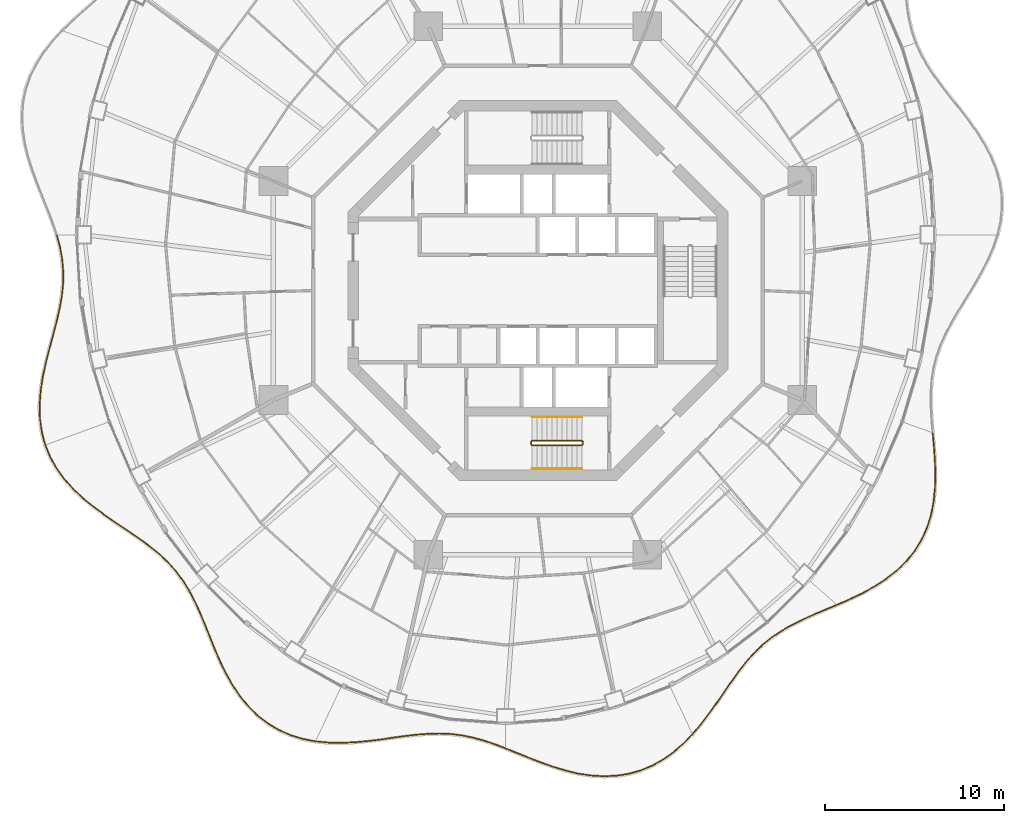
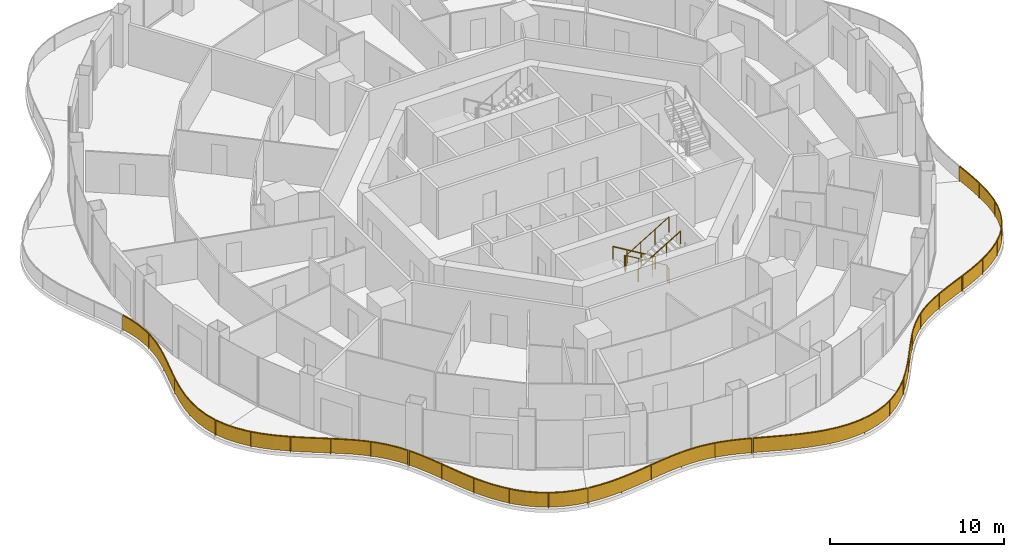
# One storey, part 16 of 18: 10 railings.
"""IFC4 building model written with IfcOpenShell, lengths in metres."""

from ifc_helpers import new_model, si_unit, direction, frame, origin, origin_2d, place, context, subcontext, project, spatial, polyline, rectangle, circle, outline, extrude, material, type_object, element, save


model = new_model("IFC4")

# Units and contexts
model_context = context("Model", 3, precision=1e-05, world=origin(), true_north=direction((0.0, 1.0)))
body_context = subcontext(model_context, "Body", "Model", "MODEL_VIEW")
ifc_project = project(units=[si_unit("LENGTHUNIT", "METRE"), si_unit("AREAUNIT", "SQUARE_METRE"), si_unit("VOLUMEUNIT", "CUBIC_METRE"), si_unit("PLANEANGLEUNIT", "RADIAN"), si_unit("MASSUNIT", "GRAM", prefix="KILO")], contexts=[model_context])

# Site, building, storey
site_placement = place(None, origin())
site = spatial("IfcSite", under=ifc_project, at=site_placement, CompositionType="ELEMENT")
building_placement = place(site_placement, origin())
building = spatial("IfcBuilding", under=site, at=building_placement, Name="Nagisa Residences", CompositionType="ELEMENT")
storey_placement = place(building_placement, frame((0.0, 0.0, 238.10009765625)))
storey = spatial("IfcBuildingStorey", under=building, at=storey_placement, Name="L60", CompositionType="ELEMENT", Elevation=238.10009765625)

# Railings
ifc_material_1 = material(Name="Stainless steel 316", Category="steel")
railing_type_1 = type_object("IfcRailingType", Name="BALCONY GUARD 1100", PredefinedType="BALUSTRADE", material=ifc_material_1)
railing_1_placement = place(storey_placement, frame((-26.891845703125, 3.0830078125, 0.0)))
element("IfcRailing", 1, at=railing_1_placement, inside=storey, type_object=railing_type_1, Name="guard:L60:bal08-0", PredefinedType="BALUSTRADE", context=body_context, shape_type="SweptSolid", body=[
    extrude(outline(polyline([(0.19775390625, -0.642333984375), (0.024169921875, 0.00634765625), (-0.024169921875, -0.00634765625), (0.14892578125, -0.653076171875), (0.2724609375, -1.335693359375), (0.33056640625, -2.01806640625), (0.32275390625, -2.70556640625), (0.252197265625, -3.4033203125), (0.1259765625, -4.100830078125), (-0.041748046875, -4.8291015625), (-0.236572265625, -5.574462890625), (-0.44140625, -6.336669921875), (-0.637451171875, -7.113037109375), (-0.808349609375, -7.885986328125), (-0.9296875, -8.6767578125), (-0.98828125, -9.465087890625), (-0.970458984375, -10.2431640625), (-0.86669921875, -11.0029296875), (-0.68310546875, -11.691162109375), (-0.634765625, -11.678466796875), (-0.8173828125, -10.9931640625), (-0.920654296875, -10.2392578125), (-0.93798828125, -9.466552734375), (-0.8798828125, -8.6826171875), (-0.759033203125, -7.895263671875), (-0.588623046875, -7.124755859375), (-0.39306640625, -6.349365234375), (-0.188232421875, -5.587158203125), (0.007080078125, -4.8408203125), (0.1748046875, -4.111083984375), (0.302001953125, -3.41015625), (0.37255859375, -2.70849609375), (0.380859375, -2.01611328125), (0.322265625, -1.328857421875), (0.19775390625, -0.642333984375)])), frame((0.0, 0.0, 1.050048828125)), (0.0, 0.0, 1.0), 0.050048828125),
    extrude(outline(polyline([(0.18017578125, -0.646240234375), (0.0068359375, 0.001708984375), (-0.0068359375, -0.001708984375), (0.16650390625, -0.649169921875), (0.29052734375, -1.333251953125), (0.3486328125, -2.017333984375), (0.340576171875, -2.70654296875), (0.270263671875, -3.40576171875), (0.1435546875, -4.1044921875), (-0.024169921875, -4.833251953125), (-0.21923828125, -5.5791015625), (-0.424072265625, -6.34130859375), (-0.619873046875, -7.1171875), (-0.79052734375, -7.889404296875), (-0.911865234375, -8.678955078125), (-0.97021484375, -9.465576171875), (-0.95263671875, -10.24169921875), (-0.848876953125, -10.99951171875), (-0.665771484375, -11.6865234375), (-0.652099609375, -11.68310546875), (-0.835205078125, -10.99658203125), (-0.9384765625, -10.24072265625), (-0.9560546875, -9.466064453125), (-0.897705078125, -8.680419921875), (-0.77685546875, -7.891845703125), (-0.606201171875, -7.12060546875), (-0.410400390625, -6.3447265625), (-0.20556640625, -5.58251953125), (-0.010498046875, -4.836669921875), (0.1572265625, -4.107421875), (0.283935546875, -3.40771484375), (0.354736328125, -2.70751953125), (0.36279296875, -2.016845703125), (0.30419921875, -1.331298828125), (0.18017578125, -0.646240234375)])), frame((0.0, 0.0, 0.06005859375)), (0.0, 0.0, 1.0), 0.989990234375),
    extrude(rectangle(XDim=0.0400390625, YDim=0.0400390625, at=origin_2d()), origin(), (0.0, 0.0, 1.0), 1.050048828125),
    extrude(rectangle(XDim=0.0400390625, YDim=0.0400390625, at=origin_2d()), frame((0.351806640625, -2.342041015625, 0.0)), (0.0, 0.0, 1.0), 1.050048828125),
    extrude(rectangle(XDim=0.0400390625, YDim=0.0400390625, at=origin_2d()), frame((0.015869140625, -4.6904296875, 0.0)), (0.0, 0.0, 1.0), 1.050048828125),
    extrude(rectangle(XDim=0.0400390625, YDim=0.0400390625, at=origin_2d()), frame((-0.581298828125, -6.992919921875, 0.0)), (0.0, 0.0, 1.0), 1.050048828125),
    extrude(rectangle(XDim=0.0400390625, YDim=0.0400390625, at=origin_2d()), frame((-0.95361328125, -9.337890625, 0.0)), (0.0, 0.0, 1.0), 1.050048828125),
    extrude(rectangle(XDim=0.0400390625, YDim=0.0400390625, at=origin_2d()), frame((-0.658935546875, -11.684814453125, 0.0)), (0.0, 0.0, 1.0), 1.050048828125),
])
railing_2_placement = place(storey_placement, frame((-27.5263671875, -8.675048828125, 0.0)))
element("IfcRailing", 2, at=railing_2_placement, inside=storey, type_object=railing_type_1, Name="guard:L60:bal09-0", PredefinedType="BALUSTRADE", context=body_context, shape_type="SweptSolid", body=[
    extrude(outline(polyline([(0.282958984375, -0.6240234375), (0.023193359375, 0.009521484375), (-0.023193359375, -0.009521484375), (0.238037109375, -0.64599609375), (0.6015625, -1.291015625), (1.043212890625, -1.897705078125), (1.55322265625, -2.464599609375), (2.11865234375, -2.993408203125), (2.718017578125, -3.4736328125), (3.348876953125, -3.9375), (3.988525390625, -4.37841796875), (4.621826171875, -4.805419921875), (5.235107421875, -5.22802734375), (5.807373046875, -5.643310546875), (6.34716796875, -6.086669921875), (6.840576171875, -6.5537109375), (7.285400390625, -7.052734375), (7.683349609375, -7.5888671875), (8.0166015625, -8.129638671875), (8.05908203125, -8.103271484375), (7.724853515625, -7.560546875), (7.324462890625, -7.02099609375), (6.876708984375, -6.51904296875), (6.38037109375, -6.049072265625), (5.838134765625, -5.603759765625), (5.263916015625, -5.18701171875), (4.650146484375, -4.763916015625), (4.016845703125, -4.3369140625), (3.377685546875, -3.896484375), (2.748291015625, -3.43408203125), (2.1513671875, -2.955322265625), (1.5888671875, -2.429443359375), (1.082275390625, -1.865966796875), (0.6435546875, -1.263671875), (0.282958984375, -0.6240234375)])), frame((0.0, 0.0, 1.050048828125)), (0.0, 0.0, 1.0), 0.050048828125),
    extrude(outline(polyline([(0.266845703125, -0.6318359375), (0.006591796875, 0.002685546875), (-0.006591796875, -0.002685546875), (0.254150390625, -0.63818359375), (0.61669921875, -1.28125), (1.057373046875, -1.88623046875), (1.566162109375, -2.451904296875), (2.13037109375, -2.979736328125), (2.72900390625, -3.45947265625), (3.359130859375, -3.922607421875), (3.998779296875, -4.363525390625), (4.632080078125, -4.79052734375), (5.245361328125, -5.213134765625), (5.818359375, -5.629150390625), (6.359130859375, -6.0732421875), (6.853515625, -6.541259765625), (7.299560546875, -7.041259765625), (7.6982421875, -7.57861328125), (8.031982421875, -8.1201171875), (8.043701171875, -8.11279296875), (7.7099609375, -7.57080078125), (7.310302734375, -7.032470703125), (6.86376953125, -6.531494140625), (6.368408203125, -6.0625), (5.8271484375, -5.617919921875), (5.253662109375, -5.201904296875), (4.639892578125, -4.77880859375), (4.006591796875, -4.351806640625), (3.367431640625, -3.911376953125), (2.7373046875, -3.4482421875), (2.1396484375, -2.968994140625), (1.575927734375, -2.442138671875), (1.068115234375, -1.87744140625), (0.62841796875, -1.2734375), (0.266845703125, -0.6318359375)])), frame((0.0, 0.0, 0.06005859375)), (0.0, 0.0, 1.0), 0.989990234375),
    extrude(rectangle(XDim=0.0400390625, YDim=0.0400390625, at=origin_2d()), origin(), (0.0, 0.0, 1.0), 1.050048828125),
    extrude(rectangle(XDim=0.0400390625, YDim=0.0400390625, at=origin_2d()), frame((1.16259765625, -1.992919921875, 0.0)), (0.0, 0.0, 1.0), 1.050048828125),
    extrude(rectangle(XDim=0.0400390625, YDim=0.0400390625, at=origin_2d()), frame((2.871337890625, -3.555419921875, 0.0)), (0.0, 0.0, 1.0), 1.050048828125),
    extrude(rectangle(XDim=0.0400390625, YDim=0.0400390625, at=origin_2d()), frame((4.77587890625, -4.881103515625, 0.0)), (0.0, 0.0, 1.0), 1.050048828125),
    extrude(rectangle(XDim=0.0400390625, YDim=0.0400390625, at=origin_2d()), frame((6.608642578125, -6.2998046875, 0.0)), (0.0, 0.0, 1.0), 1.050048828125),
    extrude(rectangle(XDim=0.0400390625, YDim=0.0400390625, at=origin_2d()), frame((8.037841796875, -8.116455078125, 0.0)), (0.0, 0.0, 1.0), 1.050048828125),
])
railing_3_placement = place(storey_placement, frame((-19.455322265625, -16.853759765625, 0.0)))
element("IfcRailing", 3, at=railing_3_placement, inside=storey, type_object=railing_type_1, Name="guard:L60:bal10-0", PredefinedType="BALUSTRADE", context=body_context, shape_type="SweptSolid", body=[
    extrude(outline(polyline([(0.308837890625, -0.539794921875), (0.022216796875, 0.011474609375), (-0.022216796875, -0.011474609375), (0.263916015625, -0.561767578125), (0.5478515625, -1.183349609375), (0.81884765625, -1.834716796875), (1.088623046875, -2.50830078125), (1.36767578125, -3.195068359375), (1.65576171875, -3.873779296875), (1.98681640625, -4.552734375), (2.357177734375, -5.208740234375), (2.773193359375, -5.8291015625), (3.23974609375, -6.40185546875), (3.7470703125, -6.908203125), (4.315185546875, -7.353759765625), (4.9345703125, -7.726318359375), (5.59716796875, -8.021728515625), (6.296875, -8.239501953125), (6.978271484375, -8.37060546875), (6.987548828125, -8.3212890625), (6.30908203125, -8.190673828125), (5.61474609375, -7.974853515625), (4.95751953125, -7.681884765625), (4.343505859375, -7.312255859375), (3.7802734375, -6.87060546875), (3.27685546875, -6.3681640625), (2.813232421875, -5.79931640625), (2.399658203125, -5.182373046875), (2.03125, -4.529296875), (1.701171875, -3.852783203125), (1.4140625, -3.176025390625), (1.135009765625, -2.48974609375), (0.865234375, -1.815673828125), (0.59375, -1.163330078125), (0.308837890625, -0.539794921875)])), frame((0.0, 0.0, 1.050048828125)), (0.0, 0.0, 1.0), 0.050048828125),
    extrude(outline(polyline([(0.292724609375, -0.547607421875), (0.006103515625, 0.003173828125), (-0.006103515625, -0.003173828125), (0.280029296875, -0.553955078125), (0.564453125, -1.176025390625), (0.83544921875, -1.827880859375), (1.105224609375, -2.501708984375), (1.384521484375, -3.188232421875), (1.672119140625, -3.8662109375), (2.0029296875, -4.544189453125), (2.37255859375, -5.19921875), (2.78759765625, -5.818359375), (3.253173828125, -6.3896484375), (3.759033203125, -6.894775390625), (4.325439453125, -7.3388671875), (4.94287109375, -7.710205078125), (5.603515625, -8.0048828125), (6.30126953125, -8.221923828125), (6.981689453125, -8.352783203125), (6.984130859375, -8.339111328125), (6.3046875, -8.208251953125), (5.6083984375, -7.99169921875), (4.94921875, -7.697998046875), (4.333251953125, -7.3271484375), (3.768310546875, -6.884033203125), (3.263427734375, -6.38037109375), (2.798828125, -5.81005859375), (2.38427734375, -5.19189453125), (2.01513671875, -4.537841796875), (1.684814453125, -3.8603515625), (1.397216796875, -3.182861328125), (1.118408203125, -2.496337890625), (0.8486328125, -1.822509765625), (0.5771484375, -1.170654296875), (0.292724609375, -0.547607421875)])), frame((0.0, 0.0, 0.06005859375)), (0.0, 0.0, 1.0), 0.989990234375),
    extrude(rectangle(XDim=0.0400390625, YDim=0.0400390625, at=origin_2d()), origin(), (0.0, 0.0, 1.0), 1.050048828125),
    extrude(rectangle(XDim=0.0400390625, YDim=0.0400390625, at=origin_2d()), frame((0.94921875, -2.093017578125, 0.0)), (0.0, 0.0, 1.0), 1.050048828125),
    extrude(rectangle(XDim=0.0400390625, YDim=0.0400390625, at=origin_2d()), frame((1.84716796875, -4.20947265625, 0.0)), (0.0, 0.0, 1.0), 1.050048828125),
    extrude(rectangle(XDim=0.0400390625, YDim=0.0400390625, at=origin_2d()), frame((3.067626953125, -6.15087890625, 0.0)), (0.0, 0.0, 1.0), 1.050048828125),
    extrude(rectangle(XDim=0.0400390625, YDim=0.0400390625, at=origin_2d()), frame((4.8134765625, -7.624267578125, 0.0)), (0.0, 0.0, 1.0), 1.050048828125),
    extrude(rectangle(XDim=0.0400390625, YDim=0.0400390625, at=origin_2d()), frame((6.98291015625, -8.345947265625, 0.0)), (0.0, 0.0, 1.0), 1.050048828125),
])
railing_4_placement = place(storey_placement, frame((-12.395751953125, -25.210205078125, 0.0)))
element("IfcRailing", 4, at=railing_4_placement, inside=storey, type_object=railing_type_1, Name="guard:L60:bal11-0", PredefinedType="BALUSTRADE", context=body_context, shape_type="SweptSolid", body=[
    extrude(outline(polyline([(0.67333984375, -0.039794921875), (0.00244140625, 0.02490234375), (-0.00244140625, -0.02490234375), (0.67041015625, -0.089599609375), (1.4013671875, -0.105224609375), (2.13525390625, -0.073974609375), (2.86474609375, -0.008056640625), (3.58447265625, 0.079833984375), (4.2724609375, 0.182373046875), (4.959716796875, 0.275390625), (5.62841796875, 0.352294921875), (6.27880859375, 0.402099609375), (6.9130859375, 0.415771484375), (7.516845703125, 0.389892578125), (8.12939453125, 0.3154296875), (8.73876953125, 0.194091796875), (9.349365234375, 0.028564453125), (9.967041015625, -0.1767578125), (10.552734375, -0.398681640625), (10.5703125, -0.351806640625), (9.983642578125, -0.12939453125), (9.364013671875, 0.076416015625), (8.75, 0.242919921875), (8.13720703125, 0.36474609375), (7.520751953125, 0.439697265625), (6.91357421875, 0.466064453125), (6.2763671875, 0.451904296875), (5.62353515625, 0.402099609375), (4.953369140625, 0.3251953125), (4.265625, 0.231689453125), (3.57763671875, 0.129638671875), (2.859375, 0.041748046875), (2.1318359375, -0.024169921875), (1.40087890625, -0.054931640625), (0.67333984375, -0.039794921875)])), frame((0.0, 0.0, 1.050048828125)), (0.0, 0.0, 1.0), 0.050048828125),
    extrude(outline(polyline([(0.67236328125, -0.0576171875), (0.000732421875, 0.007080078125), (-0.000732421875, -0.007080078125), (0.67138671875, -0.07177734375), (1.401123046875, -0.087158203125), (2.134033203125, -0.05615234375), (2.86279296875, 0.009765625), (3.58203125, 0.097900390625), (4.27001953125, 0.2001953125), (4.95751953125, 0.29345703125), (5.626708984375, 0.3701171875), (6.27783203125, 0.419921875), (6.913330078125, 0.433837890625), (7.518310546875, 0.40771484375), (8.132080078125, 0.333251953125), (8.74267578125, 0.211669921875), (9.354736328125, 0.0458984375), (9.972900390625, -0.15966796875), (10.55908203125, -0.3818359375), (10.56396484375, -0.36865234375), (9.977783203125, -0.146484375), (9.358642578125, 0.05908203125), (8.74609375, 0.225341796875), (8.134521484375, 0.346923828125), (7.519287109375, 0.421875), (6.913330078125, 0.447998046875), (6.27734375, 0.43408203125), (5.625244140625, 0.38427734375), (4.95556640625, 0.30712890625), (4.26806640625, 0.2138671875), (3.580078125, 0.111572265625), (2.861328125, 0.02392578125), (2.133056640625, -0.0419921875), (1.401123046875, -0.072998046875), (0.67236328125, -0.0576171875)])), frame((0.0, 0.0, 0.06005859375)), (0.0, 0.0, 1.0), 0.989990234375),
    extrude(rectangle(XDim=0.0400390625, YDim=0.0400390625, at=origin_2d()), origin(), (0.0, 0.0, 1.0), 1.050048828125),
    extrude(rectangle(XDim=0.0400390625, YDim=0.0400390625, at=origin_2d()), frame((2.137451171875, -0.048828125, 0.0)), (0.0, 0.0, 1.0), 1.050048828125),
    extrude(rectangle(XDim=0.0400390625, YDim=0.0400390625, at=origin_2d()), frame((4.26318359375, 0.2060546875, 0.0)), (0.0, 0.0, 1.0), 1.050048828125),
    extrude(rectangle(XDim=0.0400390625, YDim=0.0400390625, at=origin_2d()), frame((6.391845703125, 0.429443359375, 0.0)), (0.0, 0.0, 1.0), 1.050048828125),
    extrude(rectangle(XDim=0.0400390625, YDim=0.0400390625, at=origin_2d()), frame((8.5205078125, 0.262939453125, 0.0)), (0.0, 0.0, 1.0), 1.050048828125),
    extrude(rectangle(XDim=0.0400390625, YDim=0.0400390625, at=origin_2d()), frame((10.5615234375, -0.375244140625, 0.0)), (0.0, 0.0, 1.0), 1.050048828125),
])
railing_5_placement = place(storey_placement, frame((-1.765869140625, -25.614501953125, 0.0)))
element("IfcRailing", 5, at=railing_5_placement, inside=storey, type_object=railing_type_1, Name="guard:L60:bal12-0", PredefinedType="BALUSTRADE", context=body_context, shape_type="SweptSolid", body=[
    extrude(outline(polyline([(0.609375, -0.219970703125), (0.00927734375, 0.023193359375), (-0.00927734375, -0.023193359375), (0.5908203125, -0.266357421875), (1.25, -0.532958984375), (1.926513671875, -0.795166015625), (2.619140625, -1.038818359375), (3.32470703125, -1.25048828125), (4.02392578125, -1.41943359375), (4.744873046875, -1.528076171875), (5.46484375, -1.56982421875), (6.177001953125, -1.536865234375), (6.8740234375, -1.425048828125), (7.533935546875, -1.237060546875), (8.1826171875, -0.965087890625), (8.800048828125, -0.617919921875), (9.3828125, -0.202392578125), (9.9287109375, 0.271728515625), (10.403564453125, 0.76171875), (10.367431640625, 0.79638671875), (9.89404296875, 0.308349609375), (9.3515625, -0.162841796875), (8.773193359375, -0.575439453125), (8.16064453125, -0.920166015625), (7.517333984375, -1.189697265625), (6.86328125, -1.376220703125), (6.171630859375, -1.487060546875), (5.46533203125, -1.51953125), (4.750244140625, -1.478271484375), (4.03369140625, -1.3701171875), (3.337890625, -1.2021484375), (2.634765625, -0.991455078125), (1.944091796875, -0.748291015625), (1.2685546875, -0.486572265625), (0.609375, -0.219970703125)])), frame((0.0, 0.0, 1.050048828125)), (0.0, 0.0, 1.0), 0.050048828125),
    extrude(outline(polyline([(0.602783203125, -0.236572265625), (0.002685546875, 0.006591796875), (-0.002685546875, -0.006591796875), (0.597412109375, -0.249755859375), (1.256591796875, -0.516357421875), (1.932861328125, -0.7783203125), (2.624755859375, -1.021728515625), (3.32958984375, -1.233154296875), (4.02734375, -1.401611328125), (4.746826171875, -1.51025390625), (5.465087890625, -1.5517578125), (6.175048828125, -1.51904296875), (6.8701171875, -1.407470703125), (7.528076171875, -1.219970703125), (8.1748046875, -0.948974609375), (8.790283203125, -0.6025390625), (9.37158203125, -0.188232421875), (9.916259765625, 0.284912109375), (10.390625, 0.774169921875), (10.38037109375, 0.783935546875), (9.906494140625, 0.295166015625), (9.36279296875, -0.177001953125), (8.782958984375, -0.5908203125), (8.16845703125, -0.936279296875), (7.523193359375, -1.206787109375), (6.8671875, -1.393798828125), (6.173583984375, -1.5048828125), (5.465087890625, -1.53759765625), (4.748291015625, -1.49609375), (4.0302734375, -1.387939453125), (3.3330078125, -1.219482421875), (2.629150390625, -1.008544921875), (1.937744140625, -0.76513671875), (1.261962890625, -0.503173828125), (0.602783203125, -0.236572265625)])), frame((0.0, 0.0, 0.06005859375)), (0.0, 0.0, 1.0), 0.989990234375),
    extrude(rectangle(XDim=0.0400390625, YDim=0.0400390625, at=origin_2d()), origin(), (0.0, 0.0, 1.0), 1.050048828125),
    extrude(rectangle(XDim=0.0400390625, YDim=0.0400390625, at=origin_2d()), frame((2.10791015625, -0.83251953125, 0.0)), (0.0, 0.0, 1.0), 1.050048828125),
    extrude(rectangle(XDim=0.0400390625, YDim=0.0400390625, at=origin_2d()), frame((4.289306640625, -1.43408203125, 0.0)), (0.0, 0.0, 1.0), 1.050048828125),
    extrude(rectangle(XDim=0.0400390625, YDim=0.0400390625, at=origin_2d()), frame((6.5439453125, -1.45263671875, 0.0)), (0.0, 0.0, 1.0), 1.050048828125),
    extrude(rectangle(XDim=0.0400390625, YDim=0.0400390625, at=origin_2d()), frame((8.654541015625, -0.6708984375, 0.0)), (0.0, 0.0, 1.0), 1.050048828125),
    extrude(rectangle(XDim=0.0400390625, YDim=0.0400390625, at=origin_2d()), frame((10.385498046875, 0.779052734375, 0.0)), (0.0, 0.0, 1.0), 1.050048828125),
])
railing_6_placement = place(storey_placement, frame((8.670654296875, -24.777587890625, 0.0)))
element("IfcRailing", 6, at=railing_6_placement, inside=storey, type_object=railing_type_1, Name="guard:L60:bal13-0", PredefinedType="BALUSTRADE", context=body_context, shape_type="SweptSolid", body=[
    extrude(outline(polyline([(0.4404296875, 0.559326171875), (-0.01904296875, 0.01611328125), (0.01904296875, -0.01611328125), (0.4794921875, 0.528076171875), (0.9404296875, 1.13037109375), (1.3759765625, 1.74169921875), (1.79345703125, 2.3486328125), (2.202392578125, 2.9384765625), (2.597412109375, 3.49169921875), (3.015869140625, 4.018798828125), (3.453125, 4.505126953125), (3.916015625, 4.94873046875), (4.41064453125, 5.35009765625), (4.92919921875, 5.70166015625), (5.496337890625, 6.03076171875), (6.099365234375, 6.333984375), (6.734375, 6.620849609375), (7.39453125, 6.901611328125), (8.030029296875, 7.16650390625), (8.010986328125, 7.212890625), (7.375, 6.947509765625), (6.71435546875, 6.666748046875), (6.077880859375, 6.37939453125), (5.472412109375, 6.07470703125), (4.90234375, 5.744140625), (4.380859375, 5.39013671875), (3.8828125, 4.986328125), (3.4169921875, 4.539794921875), (2.977783203125, 4.051025390625), (2.557373046875, 3.52197265625), (2.161376953125, 2.96728515625), (1.75244140625, 2.376953125), (1.3349609375, 1.7705078125), (0.900390625, 1.16015625), (0.4404296875, 0.559326171875)])), frame((0.0, 0.0, 1.050048828125)), (0.0, 0.0, 1.0), 0.050048828125),
    extrude(outline(polyline([(0.45458984375, 0.548095703125), (-0.00537109375, 0.004638671875), (0.00537109375, -0.004638671875), (0.46533203125, 0.539306640625), (0.926025390625, 1.14111328125), (1.361083984375, 1.752197265625), (1.77880859375, 2.35888671875), (2.1875, 2.948974609375), (2.5830078125, 3.502685546875), (3.002197265625, 4.0302734375), (3.440185546875, 4.517578125), (3.904052734375, 4.962158203125), (4.39990234375, 5.364501953125), (4.91943359375, 5.717041015625), (5.48779296875, 6.046630859375), (6.091552734375, 6.350341796875), (6.727294921875, 6.637451171875), (7.387451171875, 6.918212890625), (8.023193359375, 7.183349609375), (8.017822265625, 7.196044921875), (7.382080078125, 6.930908203125), (6.721435546875, 6.650146484375), (6.085693359375, 6.363037109375), (5.48095703125, 6.058837890625), (4.912109375, 5.728759765625), (4.3916015625, 5.375732421875), (3.894775390625, 4.972900390625), (3.429931640625, 4.52734375), (2.991455078125, 4.03955078125), (2.57177734375, 3.510986328125), (2.17626953125, 2.956787109375), (1.76708984375, 2.36669921875), (1.349853515625, 1.760009765625), (0.914794921875, 1.1494140625), (0.45458984375, 0.548095703125)])), frame((0.0, 0.0, 0.06005859375)), (0.0, 0.0, 1.0), 0.989990234375),
    extrude(rectangle(XDim=0.0400390625, YDim=0.0400390625, at=origin_2d()), origin(), (0.0, 0.0, 1.0), 1.050048828125),
    extrude(rectangle(XDim=0.0400390625, YDim=0.0400390625, at=origin_2d()), frame((1.347900390625, 1.745361328125, 0.0)), (0.0, 0.0, 1.0), 1.050048828125),
    extrude(rectangle(XDim=0.0400390625, YDim=0.0400390625, at=origin_2d()), frame((2.61376953125, 3.552734375, 0.0)), (0.0, 0.0, 1.0), 1.050048828125),
    extrude(rectangle(XDim=0.0400390625, YDim=0.0400390625, at=origin_2d()), frame((4.126220703125, 5.1513671875, 0.0)), (0.0, 0.0, 1.0), 1.050048828125),
    extrude(rectangle(XDim=0.0400390625, YDim=0.0400390625, at=origin_2d()), frame((5.996826171875, 6.310546875, 0.0)), (0.0, 0.0, 1.0), 1.050048828125),
    extrude(rectangle(XDim=0.0400390625, YDim=0.0400390625, at=origin_2d()), frame((8.0205078125, 7.189697265625, 0.0)), (0.0, 0.0, 1.0), 1.050048828125),
])
railing_7_placement = place(storey_placement, frame((16.761962890625, -17.559326171875, 0.0)))
element("IfcRailing", 7, at=railing_7_placement, inside=storey, type_object=railing_type_1, Name="guard:L60:bal14-0", PredefinedType="BALUSTRADE", context=body_context, shape_type="SweptSolid", body=[
    extrude(outline(polyline([(0.664794921875, 0.31689453125), (-0.010009765625, 0.02294921875), (0.010009765625, -0.02294921875), (0.685791015625, 0.271484375), (1.394775390625, 0.614013671875), (2.08203125, 0.993408203125), (2.732666015625, 1.41796875), (3.33251953125, 1.891357421875), (3.863525390625, 2.407470703125), (4.329833984375, 2.98779296875), (4.7177734375, 3.618408203125), (5.0234375, 4.294189453125), (5.247802734375, 5.009033203125), (5.388427734375, 5.74072265625), (5.46630859375, 6.506591796875), (5.486328125, 7.284912109375), (5.461669921875, 8.06640625), (5.408203125, 8.8427734375), (5.34423828125, 9.563232421875), (5.29443359375, 9.558837890625), (5.3583984375, 8.8388671875), (5.411865234375, 8.06396484375), (5.43603515625, 7.284912109375), (5.41650390625, 6.510009765625), (5.338623046875, 5.748046875), (5.198974609375, 5.021240234375), (4.9765625, 4.312255859375), (4.67333984375, 3.641845703125), (4.288818359375, 3.0166015625), (3.826416015625, 2.441162109375), (3.29931640625, 1.928955078125), (2.703369140625, 1.45849609375), (2.05615234375, 1.036376953125), (1.371826171875, 0.658447265625), (0.664794921875, 0.31689453125)])), frame((0.0, 0.0, 1.050048828125)), (0.0, 0.0, 1.0), 0.050048828125),
    extrude(outline(polyline([(0.67236328125, 0.300537109375), (-0.002685546875, 0.00634765625), (0.002685546875, -0.00634765625), (0.67822265625, 0.287841796875), (1.386474609375, 0.630126953125), (2.07275390625, 1.0087890625), (2.72216796875, 1.4326171875), (3.320556640625, 1.90478515625), (3.85009765625, 2.419677734375), (4.31494140625, 2.998046875), (4.70166015625, 3.626953125), (5.006591796875, 4.30078125), (5.230224609375, 5.013427734375), (5.370361328125, 5.743408203125), (5.448486328125, 6.5078125), (5.46826171875, 7.284912109375), (5.44384765625, 8.0654296875), (5.390380859375, 8.84130859375), (5.326416015625, 9.561767578125), (5.312255859375, 9.560302734375), (5.376220703125, 8.84033203125), (5.4296875, 8.06494140625), (5.4541015625, 7.284912109375), (5.434326171875, 6.5087890625), (5.356689453125, 5.745361328125), (5.216552734375, 5.016845703125), (4.993408203125, 4.3056640625), (4.689453125, 3.63330078125), (4.3037109375, 3.00634765625), (3.83984375, 2.428955078125), (3.311279296875, 1.91552734375), (2.7138671875, 1.44384765625), (2.0654296875, 1.02099609375), (1.380126953125, 0.642333984375), (0.67236328125, 0.300537109375)])), frame((0.0, 0.0, 0.06005859375)), (0.0, 0.0, 1.0), 0.989990234375),
    extrude(rectangle(XDim=0.0400390625, YDim=0.0400390625, at=origin_2d()), origin(), (0.0, 0.0, 1.0), 1.050048828125),
    extrude(rectangle(XDim=0.0400390625, YDim=0.0400390625, at=origin_2d()), frame((1.8173828125, 0.8759765625, 0.0)), (0.0, 0.0, 1.0), 1.050048828125),
    extrude(rectangle(XDim=0.0400390625, YDim=0.0400390625, at=origin_2d()), frame((3.45556640625, 2.0458984375, 0.0)), (0.0, 0.0, 1.0), 1.050048828125),
    extrude(rectangle(XDim=0.0400390625, YDim=0.0400390625, at=origin_2d()), frame((4.694091796875, 3.627685546875, 0.0)), (0.0, 0.0, 1.0), 1.050048828125),
    extrude(rectangle(XDim=0.0400390625, YDim=0.0400390625, at=origin_2d()), frame((5.323486328125, 5.53662109375, 0.0)), (0.0, 0.0, 1.0), 1.050048828125),
    extrude(rectangle(XDim=0.0400390625, YDim=0.0400390625, at=origin_2d()), frame((5.452880859375, 7.547119140625, 0.0)), (0.0, 0.0, 1.0), 1.050048828125),
    extrude(rectangle(XDim=0.0400390625, YDim=0.0400390625, at=origin_2d()), frame((5.3193359375, 9.56103515625, 0.0)), (0.0, 0.0, 1.0), 1.050048828125),
])
ifc_material_2 = material(Name="Stainless steel", Category="steel")
railing_type_2 = type_object("IfcRailingType", Name="Stair guard 1100", PredefinedType="GUARDRAIL", material=ifc_material_2)
railing_8_placement = place(storey_placement, frame((2.52490234375, -8.599609375, 0.0)))
element("IfcRailing", 8, at=railing_8_placement, inside=storey, type_object=railing_type_2, Name="L60 ST-S stair guard 1", PredefinedType="GUARDRAIL", context=body_context, shape_type="SweptSolid", body=[
    extrude(circle(Radius=0.02392578125, at=origin_2d()), frame((0.0, 0.0, 1.076171875), z_axis=(0.0, 1.0, 0.0), x_axis=(-1.0, 0.0, 0.0)), (0.0, 0.0, 1.0), 0.14990234375),
    extrude(circle(Radius=0.02392578125, at=origin_2d()), frame((0.0, 0.14990234375, 1.076171875), z_axis=(-0.273343290215, 0.274683208305, 0.921863645432), x_axis=(-0.708833529934, -0.705375805398, 0.0)), (0.0, 0.0, 1.0), 0.18212890625),
    extrude(circle(Radius=0.02392578125, at=origin_2d()), frame((-0.0498046875, 0.199951171875, 1.244140625), z_axis=(-0.857242210791, 0.0, 0.514913383045), x_axis=(0.0, -1.0, 0.0)), (0.0, 0.0, 1.0), 3.266357421875),
    extrude(circle(Radius=0.02392578125, at=origin_2d()), frame((-2.849853515625, 0.199951171875, 2.92578125), z_axis=(-0.707106781187, -0.707106781187, 0.0), x_axis=(0.707106781187, -0.707106781187, 0.0)), (0.0, 0.0, 1.0), 0.07080078125),
    extrude(circle(Radius=0.02392578125, at=origin_2d()), frame((-2.89990234375, 0.14990234375, 2.92578125), z_axis=(0.0, -1.0, 0.0), x_axis=(1.0, 0.0, 0.0)), (0.0, 0.0, 1.0), 0.14990234375),
    extrude(circle(Radius=0.02392578125, at=origin_2d()), frame((-2.89990234375, 0.0, 2.92578125), z_axis=(0.274243871929, -0.274243871929, 0.92172696468), x_axis=(0.707106781187, 0.707106781187, 0.0)), (0.0, 0.0, 1.0), 0.1826171875),
    extrude(circle(Radius=0.02392578125, at=origin_2d()), frame((-2.849853515625, -0.050048828125, 3.09423828125), z_axis=(0.857242210791, 0.0, 0.514913383045), x_axis=(0.0, 1.0, 0.0)), (0.0, 0.0, 1.0), 3.266357421875),
    extrude(circle(Radius=0.02099609375, at=origin_2d()), origin(), (0.0, 0.0, 1.0), 1.052001953125),
    extrude(circle(Radius=0.02099609375, at=origin_2d()), frame((0.0, 0.14990234375, 0.0)), (0.0, 0.0, 1.0), 1.052001953125),
    extrude(circle(Radius=0.02099609375, at=origin_2d()), frame((-0.0498046875, 0.199951171875, 0.16796875)), (0.0, 0.0, 1.0), 1.052001953125),
    extrude(circle(Radius=0.02099609375, at=origin_2d()), frame((-0.983154296875, 0.199951171875, 0.728515625)), (0.0, 0.0, 1.0), 1.052001953125),
    extrude(circle(Radius=0.02099609375, at=origin_2d()), frame((-1.91650390625, 0.199951171875, 1.289306640625)), (0.0, 0.0, 1.0), 1.052001953125),
    extrude(circle(Radius=0.02099609375, at=origin_2d()), frame((-2.849853515625, 0.199951171875, 1.849853515625)), (0.0, 0.0, 1.0), 1.052001953125),
    extrude(circle(Radius=0.02099609375, at=origin_2d()), frame((-2.89990234375, 0.14990234375, 1.849853515625)), (0.0, 0.0, 1.0), 1.052001953125),
    extrude(circle(Radius=0.02099609375, at=origin_2d()), frame((-2.89990234375, 0.0, 1.849853515625)), (0.0, 0.0, 1.0), 1.052001953125),
    extrude(circle(Radius=0.02099609375, at=origin_2d()), frame((-2.849853515625, -0.050048828125, 2.01806640625)), (0.0, 0.0, 1.0), 1.052001953125),
    extrude(circle(Radius=0.02099609375, at=origin_2d()), frame((-1.91650390625, -0.050048828125, 2.57861328125)), (0.0, 0.0, 1.0), 1.052001953125),
    extrude(circle(Radius=0.02099609375, at=origin_2d()), frame((-0.983154296875, -0.050048828125, 3.139404296875)), (0.0, 0.0, 1.0), 1.052001953125),
    extrude(circle(Radius=0.02099609375, at=origin_2d()), frame((-0.0498046875, -0.050048828125, 3.699951171875)), (0.0, 0.0, 1.0), 1.052001953125),
])
ifc_material_3 = material(Name="Stainless steel", Category="steel")
railing_type_3 = type_object("IfcRailingType", Name="Stair handrail 900", PredefinedType="HANDRAIL", material=ifc_material_3)
railing_9_placement = place(storey_placement, frame((2.47509765625, -7.07470703125, 0.16796875)))
element("IfcRailing", 9, at=railing_9_placement, inside=storey, type_object=railing_type_3, Name="L60 ST-S stair handrail 1", PredefinedType="HANDRAIL", context=body_context, shape_type="SweptSolid", body=[
    extrude(circle(Radius=0.02392578125, at=origin_2d()), frame((0.0, 0.0, 0.8759765625), z_axis=(-0.857242210791, 0.0, 0.514913383045), x_axis=(0.0, -1.0, 0.0)), (0.0, 0.0, 1.0), 3.266357421875),
    extrude(circle(Radius=0.02099609375, at=origin_2d()), origin(), (0.0, 0.0, 1.0), 0.851806640625),
    extrude(circle(Radius=0.02099609375, at=origin_2d()), frame((-0.933349609375, 0.0, 0.560546875)), (0.0, 0.0, 1.0), 0.851806640625),
    extrude(circle(Radius=0.02099609375, at=origin_2d()), frame((-1.86669921875, 0.0, 1.121337890625)), (0.0, 0.0, 1.0), 0.851806640625),
    extrude(circle(Radius=0.02099609375, at=origin_2d()), frame((-2.800048828125, 0.0, 1.681884765625)), (0.0, 0.0, 1.0), 0.851806640625),
])
railing_10_placement = place(storey_placement, frame((-0.324951171875, -9.974609375, 2.01806640625)))
element("IfcRailing", 10, at=railing_10_placement, inside=storey, type_object=railing_type_3, Name="L60 ST-S stair handrail 2", PredefinedType="HANDRAIL", context=body_context, shape_type="SweptSolid", body=[
    extrude(circle(Radius=0.02392578125, at=origin_2d()), frame((0.0, 0.0, 0.8759765625), z_axis=(0.857242210791, 0.0, 0.514913383045), x_axis=(0.0, 1.0, 0.0)), (0.0, 0.0, 1.0), 3.266357421875),
    extrude(circle(Radius=0.02099609375, at=origin_2d()), origin(), (0.0, 0.0, 1.0), 0.851806640625),
    extrude(circle(Radius=0.02099609375, at=origin_2d()), frame((0.933349609375, 0.0, 0.560546875)), (0.0, 0.0, 1.0), 0.851806640625),
    extrude(circle(Radius=0.02099609375, at=origin_2d()), frame((1.86669921875, 0.0, 1.121337890625)), (0.0, 0.0, 1.0), 0.851806640625),
    extrude(circle(Radius=0.02099609375, at=origin_2d()), frame((2.800048828125, 0.0, 1.681884765625)), (0.0, 0.0, 1.0), 0.851806640625),
])

save(model, "model.ifc")
